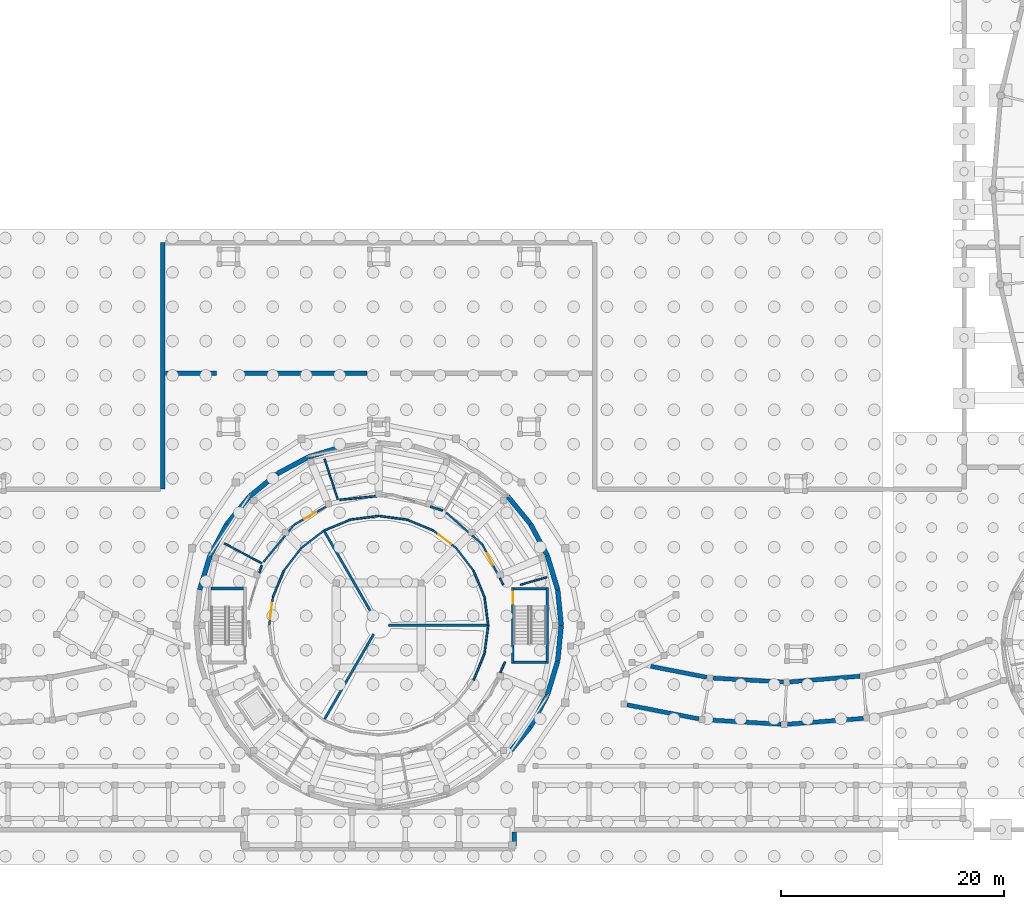
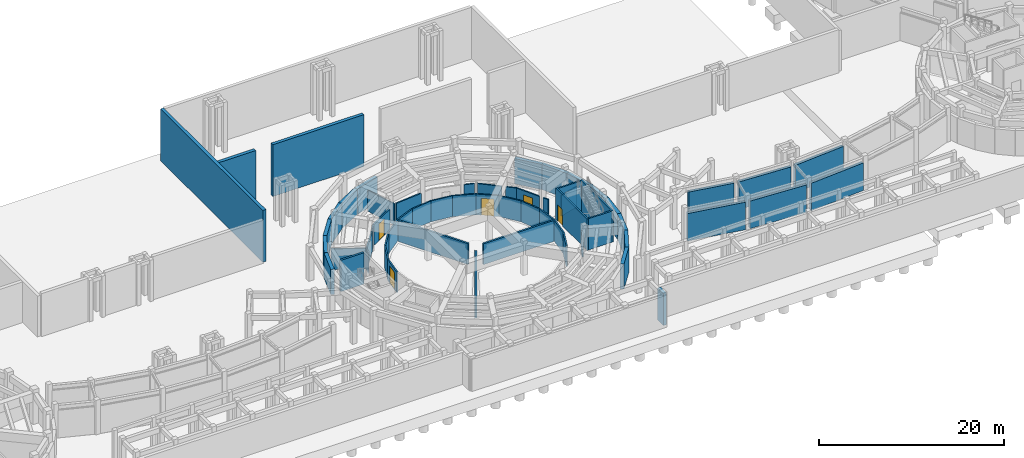
# One storey, part 40 of 57: 60 walls, 5 doors, 5 openings.
"""IFC4 building model written with IfcOpenShell, lengths in metres."""

from ifc_helpers import new_model, si_unit, direction, frame, frame_2d, origin, place, context, subcontext, project, spatial, rectangle, extrude, material, layer, layer_set, type_object, element, fill, save


model = new_model("IFC4")

# Units and contexts
model_context = context("Model", 3, precision=1e-05, world=origin(), true_north=direction((0.0, 1.0)))
body_context = subcontext(model_context, "Body", "Model", "MODEL_VIEW")
ifc_project = project(units=[si_unit("LENGTHUNIT", "METRE"), si_unit("AREAUNIT", "SQUARE_METRE"), si_unit("VOLUMEUNIT", "CUBIC_METRE"), si_unit("PLANEANGLEUNIT", "RADIAN"), si_unit("MASSUNIT", "GRAM", prefix="KILO")], contexts=[model_context])

# Site, building, storey
site_placement = place(None, origin())
site = spatial("IfcSite", under=ifc_project, at=site_placement, CompositionType="ELEMENT")
building_placement = place(site_placement, origin())
building = spatial("IfcBuilding", under=site, at=building_placement, Name="Aldenvaro Health Centre", CompositionType="ELEMENT")
storey_placement = place(building_placement, frame((0.0, 0.0, -4.550048828125)))
storey = spatial("IfcBuildingStorey", under=building, at=storey_placement, Name="B1", CompositionType="ELEMENT", Elevation=-4.550048828125)

# Walls
ifc_material_1 = material(Name="Gypsum Stud Acoustic Assembly")
ifc_layer_1 = layer(ifc_material_1, 0.14501953125, Name="Gypsum Stud Acoustic Assembly")
ifc_layer_set_1 = layer_set([ifc_layer_1], Name="Gypsum Stud Acoustic Assembly")
wall_type_1 = type_object("IfcWallType", Name="WL-CLN-145", PredefinedType="PARTITIONING", material=ifc_layer_set_1)
wall_1_placement = place(storey_placement, frame((99.72900390625, 23.64990234375, 0.0), z_axis=(0.0, 0.0, 1.0), x_axis=(0.96127114667, 0.275604395065, 0.0)))
element("IfcWall", 1, at=wall_1_placement, inside=storey, type_object=wall_type_1, Name="D1 B1 clinical partition 1.1", PredefinedType="PARTITIONING", context=body_context, shape_type="SweptSolid", body=[
    extrude(rectangle(XDim=2.482177734375, YDim=0.14501953125, at=frame_2d((1.2412109375, 0.0))), origin(), (0.0, 0.0, 1.0), 2.760009765625),
])
wall_2_placement = place(storey_placement, frame((83.322021484375, 31.320068359375, 0.0), z_axis=(0.0, 0.0, 1.0), x_axis=(-0.309188585957, 0.951000745696, 0.0)))
element("IfcWall", 2, at=wall_2_placement, inside=storey, type_object=wall_type_1, Name="D1 B1 clinical partition 3.1", PredefinedType="PARTITIONING", context=body_context, shape_type="SweptSolid", body=[
    extrude(rectangle(XDim=3.8232421875, YDim=0.14501953125, at=frame_2d((1.91162109375, 0.0))), origin(), (0.0, 0.0, 1.0), 2.760009765625),
])
wall_3_placement = place(storey_placement, frame((76.489990234375, 25.587890625, 0.0), z_axis=(0.0, 0.0, 1.0), x_axis=(-0.882920316433, 0.469522858688, 0.0)))
element("IfcWall", 3, at=wall_3_placement, inside=storey, type_object=wall_type_1, Name="D1 B1 clinical partition 4.1", PredefinedType="PARTITIONING", context=body_context, shape_type="SweptSolid", body=[
    extrude(rectangle(XDim=3.8193359375, YDim=0.14501953125, at=frame_2d((1.90966796875, 0.0))), origin(), (0.0, 0.0, 1.0), 2.760009765625),
])
ifc_layer_2 = layer(ifc_material_1, 0.1650390625, Name="Gypsum Stud Acoustic Assembly")
ifc_layer_set_2 = layer_set([ifc_layer_2], Name="Gypsum Stud Acoustic Assembly")
wall_type_2 = type_object("IfcWallType", Name="WL-COR-165", PredefinedType="PARTITIONING", material=ifc_layer_set_2)
wall_4_placement = place(storey_placement, frame((96.840087890625, 20.0, 0.0), z_axis=(0.0, 0.0, 1.0), x_axis=(-0.130476636685, 0.991451384224, 0.0)))
element("IfcWall", 4, at=wall_4_placement, inside=storey, type_object=wall_type_2, Name="D1 B1 Central Ring Wall 01", PredefinedType="PARTITIONING", context=body_context, shape_type="SweptSolid", body=[
    extrude(rectangle(XDim=2.569091796875, YDim=0.1650390625, at=frame_2d((1.28466796875, 0.0))), origin(), (0.0, 0.0, 1.0), 2.760009765625),
])
wall_5_placement = place(storey_placement, frame((96.5048828125, 22.547119140625, 0.0), z_axis=(0.0, 0.0, 1.0), x_axis=(-0.382704397106, 0.923870848353, 0.0)))
element("IfcWall", 5, at=wall_5_placement, inside=storey, type_object=wall_type_2, Name="D1 B1 Central Ring Wall 02", PredefinedType="PARTITIONING", context=body_context, shape_type="SweptSolid", body=[
    extrude(rectangle(XDim=2.568359375, YDim=0.1650390625, at=frame_2d((1.2841796875, 0.0))), origin(), (0.0, 0.0, 1.0), 2.760009765625),
])
wall_6_placement = place(storey_placement, frame((95.52197265625, 24.919921875, 0.0), z_axis=(0.0, 0.0, 1.0), x_axis=(-0.608782621434, 0.793337078322, 0.0)))
element("IfcWall", 6, at=wall_6_placement, inside=storey, type_object=wall_type_2, Name="D1 B1 Central Ring Wall 03", PredefinedType="PARTITIONING", context=body_context, shape_type="SweptSolid", body=[
    extrude(rectangle(XDim=2.569091796875, YDim=0.1650390625, at=frame_2d((1.28466796875, 0.0))), origin(), (0.0, 0.0, 1.0), 2.760009765625),
])

# Wall, opening, door
wall_7_placement = place(storey_placement, frame((93.9580078125, 26.9580078125, 0.0), z_axis=(0.0, 0.0, 1.0), x_axis=(-0.793337078322, 0.608782621434, 0.0)))
wall_7 = element("IfcWall", 7, at=wall_7_placement, inside=storey, type_object=wall_type_2, Name="D1 B1 Central Ring Wall 04", PredefinedType="PARTITIONING", context=body_context, shape_type="SweptSolid", body=[
    extrude(rectangle(XDim=2.569091796875, YDim=0.1650390625, at=frame_2d((1.28466796875, 0.0))), origin(), (0.0, 0.0, 1.0), 2.760009765625),
])
opening_1_placement = place(wall_7_placement, frame((0.583984375, 0.0, 0.0)))
opening_1 = element("IfcOpeningElement", 8, at=opening_1_placement, cuts=wall_7, Name="Opening SD-02", PredefinedType="OPENING", context=body_context, shape_type="SweptSolid", body=[
    extrude(rectangle(XDim=1.39990234375, YDim=2.25, at=frame_2d((0.699951171875, 1.125))), frame((0.0, 0.092529296875, 0.0), z_axis=(0.0, -1.0, 0.0), x_axis=(1.0, 0.0, 0.0)), (0.0, 0.0, 1.0), 0.18505859375),
])
ifc_material_2 = material(Name="Hygienic Scrub Suite Door")
door_type_1 = type_object("IfcDoorType", Name="DR-SRG-140", OperationType="NOTDEFINED", PredefinedType="DOOR", material=ifc_material_2)
door_1_placement = place(opening_1_placement, origin())
door_1 = element("IfcDoor", 9, at=door_1_placement, inside=storey, type_object=door_type_1, Name="Central Sterile Processing Door", OperationType="SINGLE_SWING_LEFT", OverallHeight=2.25, OverallWidth=1.39990234375, PredefinedType="DOOR", context=body_context, shape_type="SweptSolid", body=[
    extrude(rectangle(XDim=1.39990234375, YDim=2.25, at=frame_2d((0.699951171875, 1.125))), frame((0.0, 0.02490234375, 0.0), z_axis=(0.0, -1.0, 0.0), x_axis=(1.0, 0.0, 0.0)), (0.0, 0.0, 1.0), 0.050048828125),
])
fill(opening_1, door_1)

# Walls
wall_8_placement = place(storey_placement, frame((91.919921875, 28.52197265625, 0.0), z_axis=(0.0, 0.0, 1.0), x_axis=(-0.923870848353, 0.382704397106, 0.0)))
element("IfcWall", 10, at=wall_8_placement, inside=storey, type_object=wall_type_2, Name="D1 B1 Central Ring Wall 05", PredefinedType="PARTITIONING", context=body_context, shape_type="SweptSolid", body=[
    extrude(rectangle(XDim=2.568359375, YDim=0.1650390625, at=frame_2d((1.2841796875, 0.0))), origin(), (0.0, 0.0, 1.0), 2.760009765625),
])
for number, where, z_axis, x_axis, name in (
    (11, (89.547119140625, 29.5048828125, 0.0), (0.0, 0.0, 1.0), (-0.991451384224, 0.130476636685, 0.0), "D1 B1 Central Ring Wall 06"),
    (12, (87.0, 29.840087890625, 0.0), (0.0, 0.0, 1.0), (-0.991451384224, -0.130476636685, 0.0), "D1 B1 Central Ring Wall 07"),
):
    element("IfcWall", number, at=place(storey_placement, frame(where, z_axis=z_axis, x_axis=x_axis)), inside=storey, type_object=wall_type_2, Name=name, PredefinedType="PARTITIONING", context=body_context, shape_type="SweptSolid", body=[
        extrude(rectangle(XDim=2.569091796875, YDim=0.1650390625, at=frame_2d((1.28466796875, 0.0))), origin(), (0.0, 0.0, 1.0), 2.760009765625),
    ])
wall_9_placement = place(storey_placement, frame((84.452880859375, 29.5048828125, 0.0), z_axis=(0.0, 0.0, 1.0), x_axis=(-0.923870848353, -0.382704397106, 0.0)))
element("IfcWall", 13, at=wall_9_placement, inside=storey, type_object=wall_type_2, Name="D1 B1 Central Ring Wall 08", PredefinedType="PARTITIONING", context=body_context, shape_type="SweptSolid", body=[
    extrude(rectangle(XDim=2.568359375, YDim=0.1650390625, at=frame_2d((1.2841796875, 0.0))), origin(), (0.0, 0.0, 1.0), 2.760009765625),
])
for number, where, z_axis, x_axis, name in (
    (14, (82.080078125, 28.52197265625, 0.0), (0.0, 0.0, 1.0), (-0.793337078322, -0.608782621434, 0.0), "D1 B1 Central Ring Wall 09"),
    (15, (80.0419921875, 26.9580078125, 0.0), (0.0, 0.0, 1.0), (-0.608782621434, -0.793337078322, 0.0), "D1 B1 Central Ring Wall 10"),
):
    element("IfcWall", number, at=place(storey_placement, frame(where, z_axis=z_axis, x_axis=x_axis)), inside=storey, type_object=wall_type_2, Name=name, PredefinedType="PARTITIONING", context=body_context, shape_type="SweptSolid", body=[
        extrude(rectangle(XDim=2.569091796875, YDim=0.1650390625, at=frame_2d((1.28466796875, 0.0))), origin(), (0.0, 0.0, 1.0), 2.760009765625),
    ])
wall_10_placement = place(storey_placement, frame((78.47802734375, 24.919921875, 0.0), z_axis=(0.0, 0.0, 1.0), x_axis=(-0.382704397106, -0.923870848353, 0.0)))
element("IfcWall", 16, at=wall_10_placement, inside=storey, type_object=wall_type_2, Name="D1 B1 Central Ring Wall 11", PredefinedType="PARTITIONING", context=body_context, shape_type="SweptSolid", body=[
    extrude(rectangle(XDim=2.568359375, YDim=0.1650390625, at=frame_2d((1.2841796875, 0.0))), origin(), (0.0, 0.0, 1.0), 2.760009765625),
])

# Wall, opening, door
wall_11_placement = place(storey_placement, frame((77.4951171875, 22.547119140625, 0.0), z_axis=(0.0, 0.0, 1.0), x_axis=(-0.130476636685, -0.991451384224, 0.0)))
wall_11 = element("IfcWall", 17, at=wall_11_placement, inside=storey, type_object=wall_type_2, Name="D1 B1 Central Ring Wall 12", PredefinedType="PARTITIONING", context=body_context, shape_type="SweptSolid", body=[
    extrude(rectangle(XDim=2.569091796875, YDim=0.1650390625, at=frame_2d((1.28466796875, 0.0))), origin(), (0.0, 0.0, 1.0), 2.760009765625),
])
opening_2_placement = place(wall_11_placement, frame((0.55908203125, 0.0, 0.0)))
opening_2 = element("IfcOpeningElement", 18, at=opening_2_placement, cuts=wall_11, Name="Opening XD-01", PredefinedType="OPENING", context=body_context, shape_type="SweptSolid", body=[
    extrude(rectangle(XDim=1.449951171875, YDim=2.280029296875, at=frame_2d((0.72509765625, 1.14013671875))), frame((0.0, 0.092529296875, 0.0), z_axis=(0.0, -1.0, 0.0), x_axis=(1.0, 0.0, 0.0)), (0.0, 0.0, 1.0), 0.18505859375),
])
ifc_material_3 = material(Name="Lead-Lined Shielded Imaging Door")
door_type_2 = type_object("IfcDoorType", Name="DR-IMG-145", OperationType="NOTDEFINED", PredefinedType="DOOR", material=ifc_material_3)
door_2_placement = place(opening_2_placement, origin())
door_2 = element("IfcDoor", 19, at=door_2_placement, inside=storey, type_object=door_type_2, Name="Diagnostic Imaging Vault Door", OperationType="SINGLE_SWING_RIGHT", OverallHeight=2.280029296875, OverallWidth=1.449951171875, PredefinedType="DOOR", context=body_context, shape_type="SweptSolid", body=[
    extrude(rectangle(XDim=1.449951171875, YDim=2.280029296875, at=frame_2d((0.72509765625, 1.14013671875))), frame((0.0, 0.02490234375, 0.0), z_axis=(0.0, -1.0, 0.0), x_axis=(1.0, 0.0, 0.0)), (0.0, 0.0, 1.0), 0.050048828125),
])
fill(opening_2, door_2)

# Walls
wall_12_placement = place(storey_placement, frame((95.52197265625, 15.080078125, 0.0), z_axis=(0.0, 0.0, 1.0), x_axis=(0.382704397106, 0.923870848353, 0.0)))
element("IfcWall", 20, at=wall_12_placement, inside=storey, type_object=wall_type_2, Name="D1 B1 Central Ring Wall 23", PredefinedType="PARTITIONING", context=body_context, shape_type="SweptSolid", body=[
    extrude(rectangle(XDim=2.568359375, YDim=0.1650390625, at=frame_2d((1.2841796875, 0.0))), origin(), (0.0, 0.0, 1.0), 2.760009765625),
])
wall_13_placement = place(storey_placement, frame((96.5048828125, 17.452880859375, 0.0), z_axis=(0.0, 0.0, 1.0), x_axis=(0.130476636685, 0.991451384224, 0.0)))
element("IfcWall", 21, at=wall_13_placement, inside=storey, type_object=wall_type_2, Name="D1 B1 Central Ring Wall 24", PredefinedType="PARTITIONING", context=body_context, shape_type="SweptSolid", body=[
    extrude(rectangle(XDim=2.569091796875, YDim=0.1650390625, at=frame_2d((1.28466796875, 0.0))), origin(), (0.0, 0.0, 1.0), 2.760009765625),
])
wall_14_placement = place(storey_placement, frame((98.196044921875, 23.64990234375, 0.0), z_axis=(0.0, 0.0, 1.0), x_axis=(-0.459700365361, 0.888074081418, 0.0)))
element("IfcWall", 22, at=wall_14_placement, inside=storey, type_object=wall_type_2, Name="D1 B1 corridor wall 01.1", PredefinedType="PARTITIONING", context=body_context, shape_type="SweptSolid", body=[
    extrude(rectangle(XDim=0.670166015625, YDim=0.1650390625, at=frame_2d((0.3349609375, 0.0))), origin(), (0.0, 0.0, 1.0), 2.760009765625),
])

# Wall, opening, door
wall_15_placement = place(storey_placement, frame((97.674072265625, 24.656982421875, 0.0), z_axis=(0.0, 0.0, 1.0), x_axis=(-0.460725075704, 0.887542902973, 0.0)))
wall_15 = element("IfcWall", 23, at=wall_15_placement, inside=storey, type_object=wall_type_2, Name="D1 B1 corridor wall 01.2", PredefinedType="PARTITIONING", context=body_context, shape_type="SweptSolid", body=[
    extrude(rectangle(XDim=2.9521484375, YDim=0.1650390625, at=frame_2d((1.47607421875, 0.0))), origin(), (0.0, 0.0, 1.0), 2.760009765625),
])
opening_3_placement = place(wall_15_placement, frame((0.885986328125, 0.0, 0.0)))
opening_3 = element("IfcOpeningElement", 24, at=opening_3_placement, cuts=wall_15, Name="Opening PD-01", PredefinedType="OPENING", context=body_context, shape_type="SweptSolid", body=[
    extrude(rectangle(XDim=1.179931640625, YDim=2.199951171875, at=frame_2d((0.58984375, 1.10009765625))), frame((0.0, 0.092529296875, 0.0), z_axis=(0.0, -1.0, 0.0), x_axis=(1.0, 0.0, 0.0)), (0.0, 0.0, 1.0), 0.18505859375),
])
ifc_material_4 = material(Name="Fire-Rated Louvred Plant Door")
door_type_3 = type_object("IfcDoorType", Name="DR-PLT-01", OperationType="NOTDEFINED", PredefinedType="DOOR", material=ifc_material_4)
door_3_placement = place(opening_3_placement, origin())
door_3 = element("IfcDoor", 25, at=door_3_placement, inside=storey, type_object=door_type_3, Name="Fire Command Room Door", OperationType="SINGLE_SWING_RIGHT", OverallHeight=2.199951171875, OverallWidth=1.179931640625, PredefinedType="DOOR", context=body_context, shape_type="SweptSolid", body=[
    extrude(rectangle(XDim=1.179931640625, YDim=2.199951171875, at=frame_2d((0.58984375, 1.10009765625))), frame((0.0, 0.02490234375, 0.0), z_axis=(0.0, -1.0, 0.0), x_axis=(1.0, 0.0, 0.0)), (0.0, 0.0, 1.0), 0.050048828125),
])
fill(opening_3, door_3)

# Walls
wall_16_placement = place(storey_placement, frame((96.31396484375, 27.277099609375, 0.0), z_axis=(0.0, 0.0, 1.0), x_axis=(-0.749697254826, 0.661780950244, 0.0)))
element("IfcWall", 26, at=wall_16_placement, inside=storey, type_object=wall_type_2, Name="D1 B1 corridor wall 01.3", PredefinedType="PARTITIONING", context=body_context, shape_type="SweptSolid", body=[
    extrude(rectangle(XDim=1.21630859375, YDim=0.1650390625, at=frame_2d((0.608154296875, 0.0))), origin(), (0.0, 0.0, 1.0), 2.760009765625),
])
wall_17_placement = place(storey_placement, frame((95.077880859375, 28.367919921875, 0.0), z_axis=(0.0, 0.0, 1.0), x_axis=(-0.749753094518, 0.661717686979, 0.0)))
element("IfcWall", 27, at=wall_17_placement, inside=storey, type_object=wall_type_2, Name="D1 B1 corridor wall 01.4", PredefinedType="PARTITIONING", context=body_context, shape_type="SweptSolid", body=[
    extrude(rectangle(XDim=2.68994140625, YDim=0.1650390625, at=frame_2d((1.344970703125, 0.0))), origin(), (0.0, 0.0, 1.0), 2.760009765625),
])
wall_18_placement = place(storey_placement, frame((92.757080078125, 30.322998046875, 0.0), z_axis=(0.0, 0.0, 1.0), x_axis=(-0.95314164885, 0.302524374602, 0.0)))
element("IfcWall", 28, at=wall_18_placement, inside=storey, type_object=wall_type_2, Name="D1 B1 corridor wall 02.1", PredefinedType="PARTITIONING", context=body_context, shape_type="SweptSolid", body=[
    extrude(rectangle(XDim=1.1572265625, YDim=0.1650390625, at=frame_2d((0.57861328125, 0.0))), origin(), (0.0, 0.0, 1.0), 2.760009765625),
])
wall_19_placement = place(storey_placement, frame((86.80908203125, 31.615966796875, 0.0), z_axis=(0.0, 0.0, 1.0), x_axis=(-0.995256012435, -0.09729064555, 0.0)))
element("IfcWall", 29, at=wall_19_placement, inside=storey, type_object=wall_type_2, Name="D1 B1 corridor wall 02.4", PredefinedType="PARTITIONING", context=body_context, shape_type="SweptSolid", body=[
    extrude(rectangle(XDim=3.309814453125, YDim=0.1650390625, at=frame_2d((1.65478515625, 0.0))), origin(), (0.0, 0.0, 1.0), 2.760009765625),
])

# Wall, opening, door
wall_20_placement = place(storey_placement, frame((82.31103515625, 30.695068359375, 0.0), z_axis=(0.0, 0.0, 1.0), x_axis=(-0.871081128007, -0.491139153836, 0.0)))
wall_20 = element("IfcWall", 30, at=wall_20_placement, inside=storey, type_object=wall_type_2, Name="D1 B1 corridor wall 03.1", PredefinedType="PARTITIONING", context=body_context, shape_type="SweptSolid", body=[
    extrude(rectangle(XDim=3.33935546875, YDim=0.1650390625, at=frame_2d((1.669677734375, 0.0))), origin(), (0.0, 0.0, 1.0), 2.760009765625),
])
opening_4_placement = place(wall_20_placement, frame((1.080078125, 0.0, 0.0)))
opening_4 = element("IfcOpeningElement", 31, at=opening_4_placement, cuts=wall_20, Name="Opening PD-01", PredefinedType="OPENING", context=body_context, shape_type="SweptSolid", body=[
    extrude(rectangle(XDim=1.179931640625, YDim=2.199951171875, at=frame_2d((0.58984375, 1.10009765625))), frame((0.0, 0.092529296875, 0.0), z_axis=(0.0, -1.0, 0.0), x_axis=(1.0, 0.0, 0.0)), (0.0, 0.0, 1.0), 0.18505859375),
])
door_4_placement = place(opening_4_placement, origin())
door_4 = element("IfcDoor", 32, at=door_4_placement, inside=storey, type_object=door_type_3, Name="Medical Gas Plant Room Door", OperationType="SINGLE_SWING_RIGHT", OverallHeight=2.199951171875, OverallWidth=1.179931640625, PredefinedType="DOOR", context=body_context, shape_type="SweptSolid", body=[
    extrude(rectangle(XDim=1.179931640625, YDim=2.199951171875, at=frame_2d((0.58984375, 1.10009765625))), frame((0.0, 0.02490234375, 0.0), z_axis=(0.0, -1.0, 0.0), x_axis=(1.0, 0.0, 0.0)), (0.0, 0.0, 1.0), 0.050048828125),
])
fill(opening_4, door_4)

# Walls
wall_21_placement = place(storey_placement, frame((79.402099609375, 29.054931640625, 0.0), z_axis=(0.0, 0.0, 1.0), x_axis=(-0.634699456668, -0.772759082577, 0.0)))
element("IfcWall", 33, at=wall_21_placement, inside=storey, type_object=wall_type_2, Name="D1 B1 corridor wall 03.2", PredefinedType="PARTITIONING", context=body_context, shape_type="SweptSolid", body=[
    extrude(rectangle(XDim=0.78173828125, YDim=0.1650390625, at=frame_2d((0.390869140625, 0.0))), origin(), (0.0, 0.0, 1.0), 2.760009765625),
])
wall_22_placement = place(storey_placement, frame((78.60205078125, 28.0810546875, 0.0), z_axis=(0.0, 0.0, 1.0), x_axis=(-0.635045466024, -0.772474760806, 0.0)))
element("IfcWall", 34, at=wall_22_placement, inside=storey, type_object=wall_type_2, Name="D1 B1 corridor wall 03.3", PredefinedType="PARTITIONING", context=body_context, shape_type="SweptSolid", body=[
    extrude(rectangle(XDim=3.07861328125, YDim=0.1650390625, at=frame_2d((1.539306640625, 0.0))), origin(), (0.0, 0.0, 1.0), 2.760009765625),
])
wall_23_placement = place(storey_placement, frame((76.48193359375, 25.39404296875, 0.0), z_axis=(0.0, 0.0, 1.0), x_axis=(-0.284901497141, -0.958556799009, 0.0)))
element("IfcWall", 35, at=wall_23_placement, inside=storey, type_object=wall_type_2, Name="D1 B1 corridor wall 04.1", PredefinedType="PARTITIONING", context=body_context, shape_type="SweptSolid", body=[
    extrude(rectangle(XDim=0.705322265625, YDim=0.1650390625, at=frame_2d((0.3525390625, 0.0))), origin(), (0.0, 0.0, 1.0), 2.760009765625),
])
wall_24_placement = place(storey_placement, frame((97.925048828125, 15.757080078125, 0.0), z_axis=(0.0, 0.0, 1.0), x_axis=(0.407866620659, 0.913041521374, 0.0)))
element("IfcWall", 36, at=wall_24_placement, inside=storey, type_object=wall_type_2, Name="D1 B1 corridor wall 08.3", PredefinedType="PARTITIONING", context=body_context, shape_type="SweptSolid", body=[
    extrude(rectangle(XDim=1.061279296875, YDim=0.1650390625, at=frame_2d((0.53076171875, 0.0))), origin(), (0.0, 0.0, 1.0), 2.760009765625),
])
ifc_material_5 = material(Name="Concrete f'c 35 MPa", Category="concrete")
ifc_layer_3 = layer(ifc_material_5, 0.215087890625, Name="Concrete f'c 35 MPa", Category="concrete")
ifc_layer_set_3 = layer_set([ifc_layer_3], Name="Concrete f'c 35 MPa")
wall_type_3 = type_object("IfcWallType", Name="WL-IMG-215", PredefinedType="SOLIDWALL", material=ifc_layer_set_3)
wall_25_placement = place(storey_placement, frame((87.89990234375, 20.0, 0.0), z_axis=(0.0, 0.0, 1.0), x_axis=(1.0, 0.0, 0.0)))
element("IfcWall", 37, at=wall_25_placement, inside=storey, type_object=wall_type_3, Name="D1 B1 Central Vault Partition 1", PredefinedType="SOLIDWALL", context=body_context, shape_type="SweptSolid", body=[
    extrude(rectangle(XDim=8.820068359375, YDim=0.215087890625, at=frame_2d((4.41015625, 0.0))), origin(), (0.0, 0.0, 1.0), 2.760009765625),
])
for number, where, z_axis, x_axis, name in (
    (38, (86.550048828125, 20.779052734375, 0.0), (0.0, 0.0, 1.0), (-0.499985207697, 0.866033943956, 0.0), "D1 B1 Central Vault Partition 2"),
    (39, (86.550048828125, 19.220947265625, 0.0), (0.0, 0.0, 1.0), (-0.499985207697, -0.866033943956, 0.0), "D1 B1 Central Vault Partition 3"),
):
    element("IfcWall", number, at=place(storey_placement, frame(where, z_axis=z_axis, x_axis=x_axis)), inside=storey, type_object=wall_type_3, Name=name, PredefinedType="SOLIDWALL", context=body_context, shape_type="SweptSolid", body=[
        extrude(rectangle(XDim=8.820556640625, YDim=0.215087890625, at=frame_2d((4.41015625, 0.0))), origin(), (0.0, 0.0, 1.0), 2.760009765625),
    ])
ifc_material_6 = material(Name="Concrete f'c 40 MPa", Category="concrete")
ifc_layer_4 = layer(ifc_material_6, 0.3701171875, Name="Concrete f'c 40 MPa", Category="concrete")
ifc_layer_set_4 = layer_set([ifc_layer_4], Name="Concrete f'c 40 MPa")
wall_type_4 = type_object("IfcWallType", Name="WL-RET-370", PredefinedType="USERDEFINED", material=ifc_layer_set_4)
wall_26_placement = place(storey_placement, frame((111.450927734375, 16.324951171875, 0.0), z_axis=(0.0, 0.0, 1.0), x_axis=(0.981287298476, -0.192549312773, 0.0)))
element("IfcWall", 40, at=wall_26_placement, inside=storey, type_object=wall_type_4, Name="South East Curved Peristyle Walkway Arc 1 B1 retaining wall L.1", ObjectType="RETAININGWALL", PredefinedType="USERDEFINED", context=body_context, shape_type="SweptSolid", body=[
    extrude(rectangle(XDim=5.161865234375, YDim=0.3701171875, at=frame_2d((2.5810546875, 0.0))), origin(), (0.0, 0.0, 1.0), 3.64501953125),
])
wall_27_placement = place(storey_placement, frame((109.31591796875, 12.8720703125, 0.0), z_axis=(0.0, 0.0, 1.0), x_axis=(0.9812907043, -0.192531954892, 0.0)))
element("IfcWall", 41, at=wall_27_placement, inside=storey, type_object=wall_type_4, Name="South East Curved Peristyle Walkway Arc 1 B1 retaining wall R.1", ObjectType="RETAININGWALL", PredefinedType="USERDEFINED", context=body_context, shape_type="SweptSolid", body=[
    extrude(rectangle(XDim=6.59130859375, YDim=0.3701171875, at=frame_2d((3.295654296875, 0.0))), origin(), (0.0, 0.0, 1.0), 3.64501953125),
])
wall_28_placement = place(storey_placement, frame((117.06103515625, 15.262939453125, 0.0), z_axis=(0.0, 0.0, 1.0), x_axis=(0.998489749341, -0.054938333249, 0.0)))
element("IfcWall", 42, at=wall_28_placement, inside=storey, type_object=wall_type_4, Name="South East Curved Peristyle Walkway Arc 2 B1 retaining wall L.1", ObjectType="RETAININGWALL", PredefinedType="USERDEFINED", context=body_context, shape_type="SweptSolid", body=[
    extrude(rectangle(XDim=6.33251953125, YDim=0.3701171875, at=frame_2d((3.166259765625, 0.0))), origin(), (0.0, 0.0, 1.0), 3.64501953125),
])
wall_29_placement = place(storey_placement, frame((116.3291015625, 11.533935546875, 0.0), z_axis=(0.0, 0.0, 1.0), x_axis=(0.998190411016, -0.060132381923, 0.0)))
element("IfcWall", 43, at=wall_29_placement, inside=storey, type_object=wall_type_4, Name="South East Curved Peristyle Walkway Arc 2 B1 retaining wall R.1", ObjectType="RETAININGWALL", PredefinedType="USERDEFINED", context=body_context, shape_type="SweptSolid", body=[
    extrude(rectangle(XDim=6.849365234375, YDim=0.3701171875, at=frame_2d((3.4248046875, 0.0))), origin(), (0.0, 0.0, 1.0), 3.64501953125),
])
wall_30_placement = place(storey_placement, frame((123.93310546875, 14.922119140625, 0.0), z_axis=(0.0, 0.0, 1.0), x_axis=(0.99671535542, 0.080984568093, 0.0)))
element("IfcWall", 44, at=wall_30_placement, inside=storey, type_object=wall_type_4, Name="South East Curved Peristyle Walkway Arc 3 B1 retaining wall L.1", ObjectType="RETAININGWALL", PredefinedType="USERDEFINED", context=body_context, shape_type="SweptSolid", body=[
    extrude(rectangle(XDim=6.333740234375, YDim=0.3701171875, at=frame_2d((3.1669921875, 0.0))), origin(), (0.0, 0.0, 1.0), 3.64501953125),
])
wall_31_placement = place(storey_placement, frame((123.715087890625, 11.126953125, 0.0), z_axis=(0.0, 0.0, 1.0), x_axis=(0.997102309652, 0.076072229409, 0.0)))
element("IfcWall", 45, at=wall_31_placement, inside=storey, type_object=wall_type_4, Name="South East Curved Peristyle Walkway Arc 3 B1 retaining wall R.1", ObjectType="RETAININGWALL", PredefinedType="USERDEFINED", context=body_context, shape_type="SweptSolid", body=[
    extrude(rectangle(XDim=6.8486328125, YDim=0.3701171875, at=frame_2d((3.42431640625, 0.0))), origin(), (0.0, 0.0, 1.0), 3.64501953125),
])
ifc_layer_5 = layer(ifc_material_6, 0.39990234375, Name="Concrete f'c 40 MPa", Category="concrete")
ifc_layer_set_5 = layer_set([ifc_layer_5], Name="Concrete f'c 40 MPa")
wall_type_5 = type_object("IfcWallType", Name="WL-RET-400", PredefinedType="USERDEFINED", material=ifc_layer_set_5)
wall_32_placement = place(storey_placement, frame((99.199951171875, 0.174072265625, 0.0), z_axis=(0.0, 0.0, 1.0), x_axis=(0.0, 1.0, 0.0)))
element("IfcWall", 46, at=wall_32_placement, inside=storey, type_object=wall_type_5, Name="Stepped Foothill Retaining Wall PORT-E-00", ObjectType="RETAININGWALL", PredefinedType="USERDEFINED", context=body_context, shape_type="SweptSolid", body=[
    extrude(rectangle(XDim=1.251953125, YDim=0.39990234375, at=frame_2d((0.6259765625, 0.0))), origin(), (0.0, 0.0, 1.0), 4.22998046875),
])
wall_33_placement = place(storey_placement, frame((67.60009765625, 32.25, 0.0), z_axis=(0.0, 0.0, 1.0), x_axis=(0.0, 1.0, 0.0)))
element("IfcWall", 47, at=wall_33_placement, inside=storey, type_object=wall_type_5, Name="Stepped Foothill Retaining Wall T2G-CW-00", ObjectType="RETAININGWALL", PredefinedType="USERDEFINED", context=body_context, shape_type="SweptSolid", body=[
    extrude(rectangle(XDim=22.14990234375, YDim=0.39990234375, at=frame_2d((11.074951171875, 0.0))), origin(), (0.0, 0.0, 1.0), 6.85009765625),
])
wall_34_placement = place(storey_placement, frame((67.823974609375, 42.64990234375, 0.0), z_axis=(0.0, 0.0, 1.0), x_axis=(1.0, 0.0, 0.0)))
element("IfcWall", 48, at=wall_34_placement, inside=storey, type_object=wall_type_5, Name="Stepped Foothill Retaining Wall T3G-R-00", ObjectType="RETAININGWALL", PredefinedType="USERDEFINED", context=body_context, shape_type="SweptSolid", body=[
    extrude(rectangle(XDim=4.60595703125, YDim=0.39990234375, at=frame_2d((2.302978515625, 0.0))), origin(), (0.0, 0.0, 1.0), 6.85009765625),
])
wall_35_placement = place(storey_placement, frame((74.570068359375, 42.64990234375, 0.0), z_axis=(0.0, 0.0, 1.0), x_axis=(1.0, 0.0, 0.0)))
element("IfcWall", 49, at=wall_35_placement, inside=storey, type_object=wall_type_5, Name="Stepped Foothill Retaining Wall T3G-R-01", ObjectType="RETAININGWALL", PredefinedType="USERDEFINED", context=body_context, shape_type="SweptSolid", body=[
    extrude(rectangle(XDim=11.35986328125, YDim=0.39990234375, at=frame_2d((5.679931640625, 0.0))), origin(), (0.0, 0.0, 1.0), 6.85009765625),
])
ifc_layer_6 = layer(ifc_material_6, 0.429931640625, Name="Concrete f'c 40 MPa", Category="concrete")
ifc_layer_set_6 = layer_set([ifc_layer_6], Name="Concrete f'c 40 MPa")
wall_type_6 = type_object("IfcWallType", Name="WL-RET-430", PredefinedType="USERDEFINED", material=ifc_layer_set_6)
wall_36_placement = place(storey_placement, frame((103.39990234375, 20.0, 0.0), z_axis=(0.0, 0.0, 1.0), x_axis=(-0.097977057849, -0.995188673637, 0.0)))
element("IfcWall", 50, at=wall_36_placement, inside=storey, type_object=wall_type_6, Name="D1 B1 hillside retaining wall 01", ObjectType="RETAININGWALL", PredefinedType="USERDEFINED", context=body_context, shape_type="SweptSolid", body=[
    extrude(rectangle(XDim=3.21435546875, YDim=0.429931640625, at=frame_2d((1.607177734375, 0.0))), origin(), (0.0, 0.0, 1.0), 3.3349609375),
])
for number, where, z_axis, x_axis, name in (
    (51, (103.0849609375, 16.801025390625, 0.0), (0.0, 0.0, 1.0), (-0.29014016356, -0.956984161567, 0.0), "D1 B1 hillside retaining wall 02"),
    (52, (102.152099609375, 13.72412109375, 0.0), (0.0, 0.0, 1.0), (-0.47155750426, -0.881835313523, 0.0), "D1 B1 hillside retaining wall 03"),
    (53, (100.635986328125, 10.888916015625, 0.0), (0.0, 0.0, 1.0), (-0.634204896314, -0.773165020866, 0.0), "D1 B1 hillside retaining wall 04"),
    (54, (70.9150390625, 23.198974609375, 0.0), (0.0, 0.0, 1.0), (0.29014016356, 0.956984161567, 0.0), "D1 B1 hillside retaining wall 18"),
    (55, (71.847900390625, 26.27587890625, 0.0), (0.0, 0.0, 1.0), (0.47155750426, 0.881835313523, 0.0), "D1 B1 hillside retaining wall 19"),
    (56, (73.364013671875, 29.111083984375, 0.0), (0.0, 0.0, 1.0), (0.634204896314, 0.773165020866, 0.0), "D1 B1 hillside retaining wall 20"),
    (57, (75.403076171875, 31.596923828125, 0.0), (0.0, 0.0, 1.0), (0.773165020866, 0.634204896314, 0.0), "D1 B1 hillside retaining wall 21"),
    (58, (77.888916015625, 33.635986328125, 0.0), (0.0, 0.0, 1.0), (0.881835313523, 0.47155750426, 0.0), "D1 B1 hillside retaining wall 22"),
    (59, (80.72412109375, 35.152099609375, 0.0), (0.0, 0.0, 1.0), (0.956984161567, 0.29014016356, 0.0), "D1 B1 hillside retaining wall 23"),
    (60, (98.596923828125, 31.596923828125, 0.0), (0.0, 0.0, 1.0), (0.634204896314, -0.773165020866, 0.0), "D1 B1 hillside retaining wall 29"),
    (61, (100.635986328125, 29.111083984375, 0.0), (0.0, 0.0, 1.0), (0.47155750426, -0.881835313523, 0.0), "D1 B1 hillside retaining wall 30"),
    (62, (102.152099609375, 26.27587890625, 0.0), (0.0, 0.0, 1.0), (0.29014016356, -0.956984161567, 0.0), "D1 B1 hillside retaining wall 31"),
):
    element("IfcWall", number, at=place(storey_placement, frame(where, z_axis=z_axis, x_axis=x_axis)), inside=storey, type_object=wall_type_6, Name=name, ObjectType="RETAININGWALL", PredefinedType="USERDEFINED", context=body_context, shape_type="SweptSolid", body=[
        extrude(rectangle(XDim=3.215087890625, YDim=0.429931640625, at=frame_2d((1.607421875, 0.0))), origin(), (0.0, 0.0, 1.0), 3.3349609375),
    ])
wall_37_placement = place(storey_placement, frame((103.0849609375, 23.198974609375, 0.0), z_axis=(0.0, 0.0, 1.0), x_axis=(0.097977057849, -0.995188673637, 0.0)))
element("IfcWall", 63, at=wall_37_placement, inside=storey, type_object=wall_type_6, Name="D1 B1 hillside retaining wall 32", ObjectType="RETAININGWALL", PredefinedType="USERDEFINED", context=body_context, shape_type="SweptSolid", body=[
    extrude(rectangle(XDim=3.21435546875, YDim=0.429931640625, at=frame_2d((1.607177734375, 0.0))), origin(), (0.0, 0.0, 1.0), 3.3349609375),
])

# Wall, opening, door
ifc_layer_7 = layer(ifc_material_6, 0.199951171875, Name="Concrete f'c 40 MPa", Category="concrete")
ifc_layer_set_7 = layer_set([ifc_layer_7], Name="Concrete f'c 40 MPa")
wall_type_7 = type_object("IfcWallType", Name="WL-SHAFT-200", PredefinedType="SHEAR", material=ifc_layer_set_7)
wall_38_placement = place(storey_placement, frame((99.050048828125, 23.39990234375, 0.0), z_axis=(0.0, 0.0, 1.0), x_axis=(0.0, -1.0, 0.0)))
wall_38 = element("IfcWall", 64, at=wall_38_placement, inside=storey, type_object=wall_type_7, Name="ST-02 B1 inner core wall", PredefinedType="SHEAR", context=body_context, shape_type="SweptSolid", body=[
    extrude(rectangle(XDim=6.7998046875, YDim=0.199951171875, at=frame_2d((3.39990234375, 0.0))), origin(), (0.0, 0.0, 1.0), 4.135009765625),
])
opening_5_placement = place(wall_38_placement, frame((0.3798828125, 0.0, 0.0)))
opening_5 = element("IfcOpeningElement", 65, at=opening_5_placement, cuts=wall_38, Name="Opening FD-02", PredefinedType="OPENING", context=body_context, shape_type="SweptSolid", body=[
    extrude(rectangle(XDim=1.050048828125, YDim=2.14990234375, at=frame_2d((0.52490234375, 1.074951171875))), frame((0.0, 0.10986328125, 0.0), z_axis=(0.0, -1.0, 0.0), x_axis=(1.0, 0.0, 0.0)), (0.0, 0.0, 1.0), 0.219970703125),
])
ifc_material_7 = material(Name="Fire-Rated Steel Door Assembly", Category="steel")
door_type_4 = type_object("IfcDoorType", Name="DR-STAIR-105", OperationType="NOTDEFINED", PredefinedType="DOOR", material=ifc_material_7)
door_5_placement = place(opening_5_placement, origin())
door_5 = element("IfcDoor", 66, at=door_5_placement, inside=storey, type_object=door_type_4, Name="ST-02 B1 fire stair door", OperationType="SINGLE_SWING_RIGHT", OverallHeight=2.14990234375, OverallWidth=1.050048828125, PredefinedType="DOOR", context=body_context, shape_type="SweptSolid", body=[
    extrude(rectangle(XDim=1.050048828125, YDim=2.14990234375, at=frame_2d((0.52490234375, 1.074951171875))), frame((0.0, 0.02490234375, 0.0), z_axis=(0.0, -1.0, 0.0), x_axis=(1.0, 0.0, 0.0)), (0.0, 0.0, 1.0), 0.050048828125),
])
fill(opening_5, door_5)

# Walls
wall_39_placement = place(storey_placement, frame((102.14990234375, 23.39990234375, 0.0), z_axis=(0.0, 0.0, 1.0), x_axis=(0.0, -1.0, 0.0)))
element("IfcWall", 67, at=wall_39_placement, inside=storey, type_object=wall_type_7, Name="ST-02 B1 far core wall", PredefinedType="SHEAR", context=body_context, shape_type="SweptSolid", body=[
    extrude(rectangle(XDim=6.7998046875, YDim=0.199951171875, at=frame_2d((3.39990234375, 0.0))), origin(), (0.0, 0.0, 1.0), 4.135009765625),
])
for number, where, z_axis, x_axis, name in (
    (68, (99.14990234375, 23.300048828125, 0.0), (0.0, 0.0, 1.0), (1.0, 0.0, 0.0), "ST-02 B1 side core wall L"),
    (69, (99.14990234375, 16.699951171875, 0.0), (0.0, 0.0, 1.0), (1.0, 0.0, 0.0), "ST-02 B1 side core wall R"),
):
    element("IfcWall", number, at=place(storey_placement, frame(where, z_axis=z_axis, x_axis=x_axis)), inside=storey, type_object=wall_type_7, Name=name, PredefinedType="SHEAR", context=body_context, shape_type="SweptSolid", body=[
        extrude(rectangle(XDim=2.900146484375, YDim=0.199951171875, at=frame_2d((1.4501953125, 0.0))), origin(), (0.0, 0.0, 1.0), 4.135009765625),
    ])
ifc_layer_8 = layer(ifc_material_6, 0.25, Name="Concrete f'c 40 MPa", Category="concrete")
ifc_layer_set_8 = layer_set([ifc_layer_8], Name="Concrete f'c 40 MPa")
wall_type_8 = type_object("IfcWallType", Name="WL-SHAFT-250", PredefinedType="SHEAR", material=ifc_layer_set_8)
wall_40_placement = place(storey_placement, frame((74.85009765625, 23.324951171875, 0.0), z_axis=(0.0, 0.0, 1.0), x_axis=(-1.0, 0.0, 0.0)))
element("IfcWall", 70, at=wall_40_placement, inside=storey, type_object=wall_type_8, Name="ST-01 B1 side core wall R", PredefinedType="SHEAR", context=body_context, shape_type="SweptSolid", body=[
    extrude(rectangle(XDim=2.900146484375, YDim=0.25, at=frame_2d((1.4501953125, 0.0))), origin(), (0.0, 0.0, 1.0), 4.135009765625),
])

save(model, "model.ifc")
